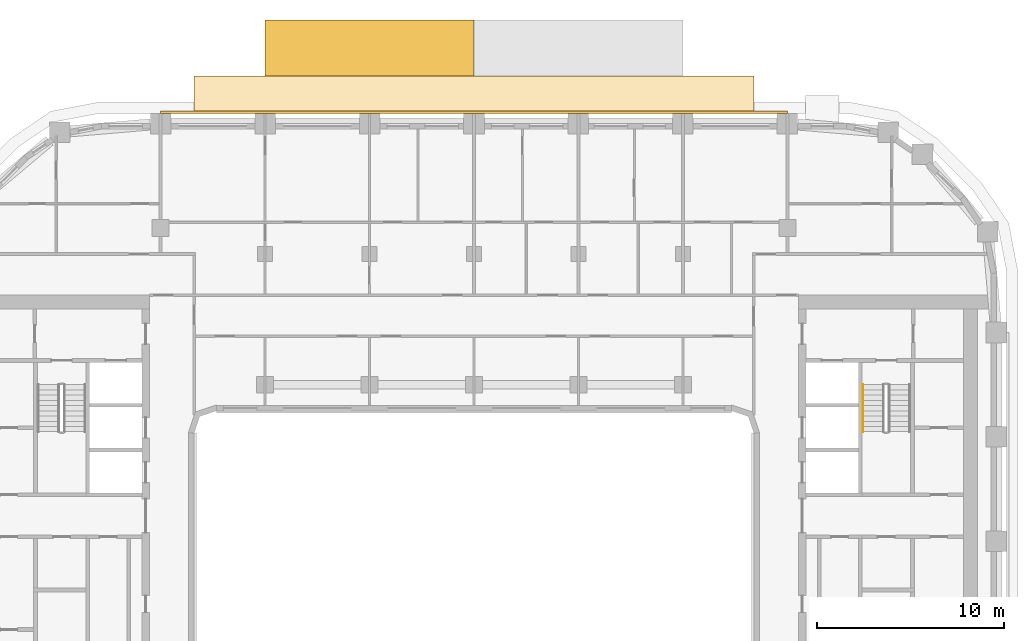
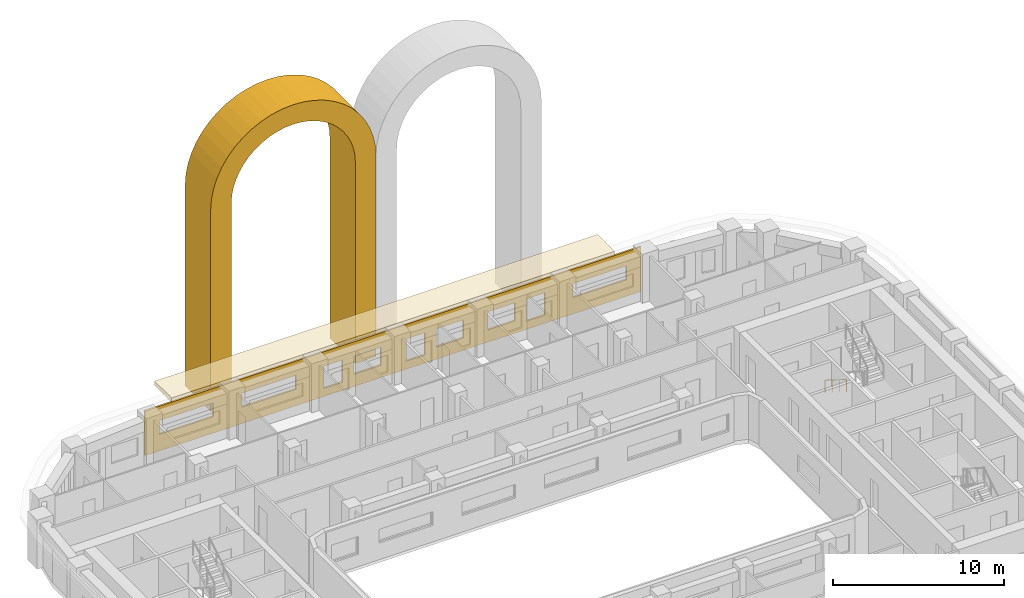
# One storey, part 17 of 18: 3 coverings, 1 railing.
"""IFC4 building model written with IfcOpenShell, lengths in metres."""

from ifc_helpers import new_model, si_unit, direction, frame, origin, origin_2d, place, context, subcontext, project, spatial, polyline, circle, outline, extrude, material, layer, layer_set, type_object, element, save


model = new_model("IFC4")

# Units and contexts
model_context = context("Model", 3, precision=1e-05, world=origin(), true_north=direction((0.0, 1.0)))
body_context = subcontext(model_context, "Body", "Model", "MODEL_VIEW")
ifc_project = project(units=[si_unit("LENGTHUNIT", "METRE"), si_unit("AREAUNIT", "SQUARE_METRE"), si_unit("VOLUMEUNIT", "CUBIC_METRE"), si_unit("PLANEANGLEUNIT", "RADIAN"), si_unit("MASSUNIT", "GRAM", prefix="KILO")], contexts=[model_context])

# Site, building, storey
site_placement = place(None, origin())
site = spatial("IfcSite", under=ifc_project, at=site_placement, CompositionType="ELEMENT")
building_placement = place(site_placement, origin())
building = spatial("IfcBuilding", under=site, at=building_placement, Name="Kiln Ring Residences", CompositionType="ELEMENT")
storey_placement = place(building_placement, frame((0.0, 0.0, 157.10009765625)))
storey = spatial("IfcBuildingStorey", under=building, at=storey_placement, Name="L40", CompositionType="ELEMENT", Elevation=157.10009765625)

# Covering
ifc_material_1 = material(Name="Brick masonry, dark clay brick", Category="masonry")
ifc_layer_1 = layer(ifc_material_1, 1.39990234375)
ifc_layer_set_1 = layer_set([ifc_layer_1], Name="ARCH SURROUND 3000")
covering_type_1 = type_object("IfcCoveringType", Name="ARCH SURROUND 3000", PredefinedType="CLADDING", material=ifc_layer_set_1)
covering_1_placement = place(storey_placement, frame((-11.199951171875, 26.449951171875, 0.0), z_axis=(0.0, 0.0, 1.0), x_axis=(1.0, 0.0, 0.0)))
element("IfcCovering", 1, at=covering_1_placement, inside=storey, type_object=covering_type_1, Name="ARCH SURROUND Z3 N2.1", PredefinedType="CLADDING", context=body_context, shape_type="SweptSolid", body=[
    extrude(outline(polyline([(0.0, 0.0), (0.0, 14.39990234375), (0.0478515625, 15.130859375), (0.19091796875, 15.849365234375), (0.42626953125, 16.54296875), (0.750244140625, 17.199951171875), (1.1572265625, 17.80908203125), (1.64013671875, 18.359619140625), (2.19091796875, 18.8427734375), (2.800048828125, 19.24951171875), (3.45703125, 19.573486328125), (4.150634765625, 19.80908203125), (4.869140625, 19.951904296875), (5.60009765625, 20.0), (6.330810546875, 19.951904296875), (7.04931640625, 19.80908203125), (7.742919921875, 19.573486328125), (8.39990234375, 19.24951171875), (9.009033203125, 18.8427734375), (9.559814453125, 18.359619140625), (10.042724609375, 17.80908203125), (10.44970703125, 17.199951171875), (10.773681640625, 16.54296875), (11.00927734375, 15.849365234375), (11.152099609375, 15.130859375), (11.199951171875, 14.39990234375), (11.199951171875, 0.0), (9.800048828125, 0.0), (9.800048828125, 14.39990234375), (9.76416015625, 14.947998046875), (9.656982421875, 15.48681640625), (9.480224609375, 16.00732421875), (9.2373046875, 16.5), (8.93212890625, 16.956787109375), (8.56982421875, 17.36962890625), (8.15673828125, 17.73193359375), (7.699951171875, 18.037109375), (7.207275390625, 18.2802734375), (6.68701171875, 18.456787109375), (6.148193359375, 18.56396484375), (5.60009765625, 18.599853515625), (5.0517578125, 18.56396484375), (4.512939453125, 18.456787109375), (3.99267578125, 18.2802734375), (3.5, 18.037109375), (3.043212890625, 17.73193359375), (2.630126953125, 17.36962890625), (2.267822265625, 16.956787109375), (1.962646484375, 16.5), (1.7197265625, 16.00732421875), (1.543212890625, 15.48681640625), (1.435791015625, 14.947998046875), (1.39990234375, 14.39990234375), (1.39990234375, 0.0), (0.0, 0.0)])), frame((0.0, 1.5, 0.0), z_axis=(0.0, -1.0, 0.0), x_axis=(1.0, 0.0, 0.0)), (0.0, 0.0, 1.0), 3.0),
])

# Railing
ifc_material_2 = material(Name="Stainless steel", Category="steel")
railing_type = type_object("IfcRailingType", Name="CORE-STAIR-HANDRAIL", PredefinedType="HANDRAIL", material=ifc_material_2)
railing_placement = place(storey_placement, frame((20.85009765625, 8.39990234375, 0.1748046875)))
element("IfcRailing", 2, at=railing_placement, inside=storey, type_object=railing_type, Name="L40 E-STN stair handrail 1", PredefinedType="HANDRAIL", context=body_context, shape_type="SweptSolid", body=[
    extrude(circle(Radius=0.02392578125, at=origin_2d()), frame((0.0, 0.0, 0.8759765625), z_axis=(0.0, -0.847970611238, 0.530043245855), x_axis=(1.0, 0.0, 0.0)), (0.0, 0.0, 1.0), 2.971923828125),
    extrude(circle(Radius=0.02099609375, at=origin_2d()), origin(), (0.0, 0.0, 1.0), 0.851806640625),
    extrude(circle(Radius=0.02099609375, at=origin_2d()), frame((0.0, -0.840087890625, 0.525146484375)), (0.0, 0.0, 1.0), 0.851806640625),
    extrude(circle(Radius=0.02099609375, at=origin_2d()), frame((0.0, -1.679931640625, 1.050048828125)), (0.0, 0.0, 1.0), 0.851806640625),
    extrude(circle(Radius=0.02099609375, at=origin_2d()), frame((0.0, -2.52001953125, 1.5751953125)), (0.0, 0.0, 1.0), 0.851806640625),
])

# Coverings
ifc_material_3 = material(Name="Brick masonry, dark clay brick", Category="masonry")
ifc_layer_2 = layer(ifc_material_3, 0.1201171875)
ifc_layer_set_2 = layer_set([ifc_layer_2], Name="RAINSCREEN PANEL 120")
covering_type_2 = type_object("IfcCoveringType", Name="RAINSCREEN PANEL 120", PredefinedType="CLADDING", material=ifc_layer_set_2)
covering_2_placement = place(storey_placement, frame((16.800048828125, 23.010009765625, 0.0), z_axis=(0.0, 0.0, 1.0), x_axis=(-1.0, 0.0, 0.0)))
element("IfcCovering", 3, at=covering_2_placement, inside=storey, type_object=covering_type_2, Name="RAINSCREEN L40", PredefinedType="CLADDING", context=body_context, shape_type="SweptSolid", body=[
    extrude(outline(polyline([(0.0, 0.0), (33.60009765625, 0.0), (33.60009765625, 3.199951171875), (0.0, 3.199951171875), (0.0, 0.0)]), holes=[polyline([(6.517578125, 0.579833984375), (7.757568359375, 0.579833984375), (7.757568359375, 2.169921875), (6.517578125, 2.169921875), (6.517578125, 0.579833984375)]), polyline([(14.642578125, 0.579833984375), (15.882568359375, 0.579833984375), (15.882568359375, 2.169921875), (14.642578125, 2.169921875), (14.642578125, 0.579833984375)]), polyline([(20.242431640625, 0.579833984375), (21.482421875, 0.579833984375), (21.482421875, 2.169921875), (20.242431640625, 2.169921875), (20.242431640625, 0.579833984375)]), polyline([(8.54248046875, 0.8798828125), (10.382568359375, 0.8798828125), (10.382568359375, 2.169921875), (8.54248046875, 2.169921875), (8.54248046875, 0.8798828125)]), polyline([(12.017578125, 0.8798828125), (13.857421875, 0.8798828125), (13.857421875, 2.169921875), (12.017578125, 2.169921875), (12.017578125, 0.8798828125)]), polyline([(17.617431640625, 0.8798828125), (19.45751953125, 0.8798828125), (19.45751953125, 2.169921875), (17.617431640625, 2.169921875), (17.617431640625, 0.8798828125)]), polyline([(0.97998046875, 1.179931640625), (4.6201171875, 1.179931640625), (4.6201171875, 2.169921875), (0.97998046875, 2.169921875), (0.97998046875, 1.179931640625)]), polyline([(23.3798828125, 2.169921875), (23.3798828125, 1.179931640625), (27.02001953125, 1.179931640625), (27.02001953125, 2.169921875), (23.3798828125, 2.169921875)]), polyline([(28.97998046875, 2.169921875), (28.97998046875, 1.179931640625), (32.6201171875, 1.179931640625), (32.6201171875, 2.169921875), (28.97998046875, 2.169921875)])]), frame((0.0, 0.06005859375, 0.0), z_axis=(0.0, -1.0, 0.0), x_axis=(1.0, 0.0, 0.0)), (0.0, 0.0, 1.0), 0.1201171875),
])
ifc_material_4 = material(Name="Black powder-coated steel", Category="steel")
ifc_layer_3 = layer(ifc_material_4, 0.300048828125)
ifc_layer_set_3 = layer_set([ifc_layer_3], Name="SUNSHADE BAND 2000")
covering_type_3 = type_object("IfcCoveringType", Name="SUNSHADE BAND 2000", PredefinedType="CLADDING", material=ifc_layer_set_3)
covering_3_placement = place(storey_placement, frame((0.0, 0.0, 3.199951171875)))
element("IfcCovering", 4, at=covering_3_placement, inside=storey, type_object=covering_type_3, Name="SUNSHADE BAND L40", PredefinedType="CLADDING", context=body_context, shape_type="SweptSolid", body=[
    extrude(outline(polyline([(15.0, 24.949951171875), (-15.0, 24.949951171875), (-15.0, 22.949951171875), (15.0, 22.949951171875), (15.0, 24.949951171875)])), origin(), (0.0, 0.0, 1.0), 0.300048828125),
])

save(model, "model.ifc")
